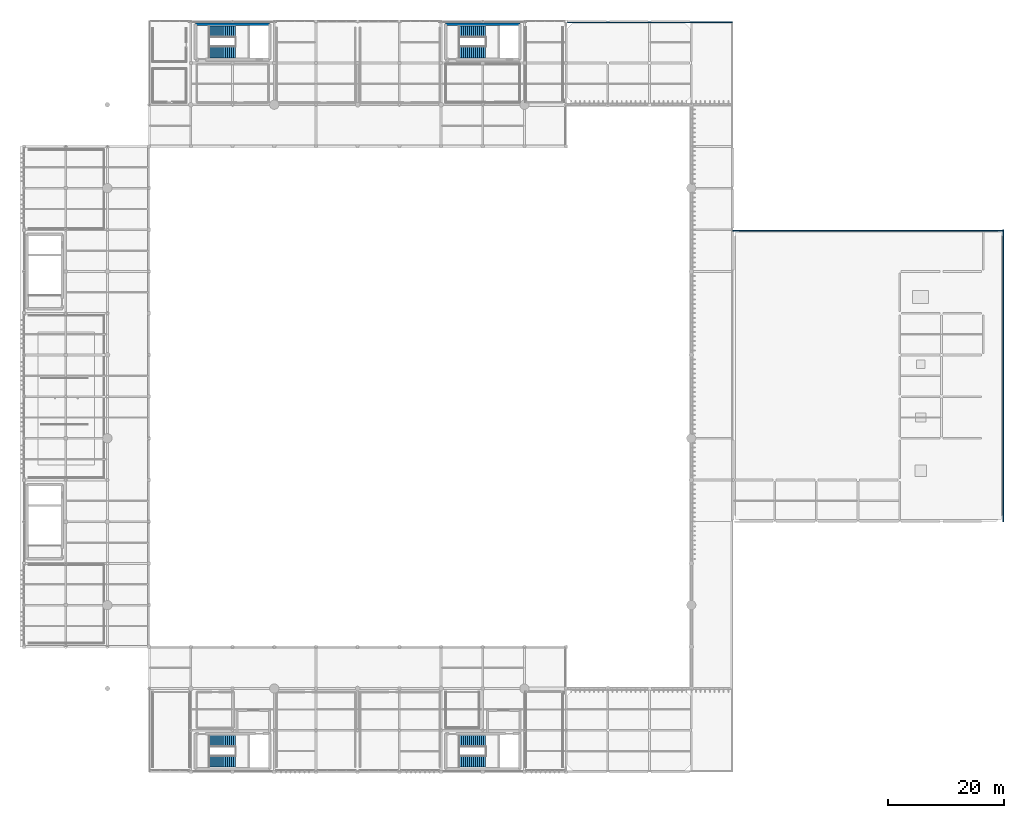
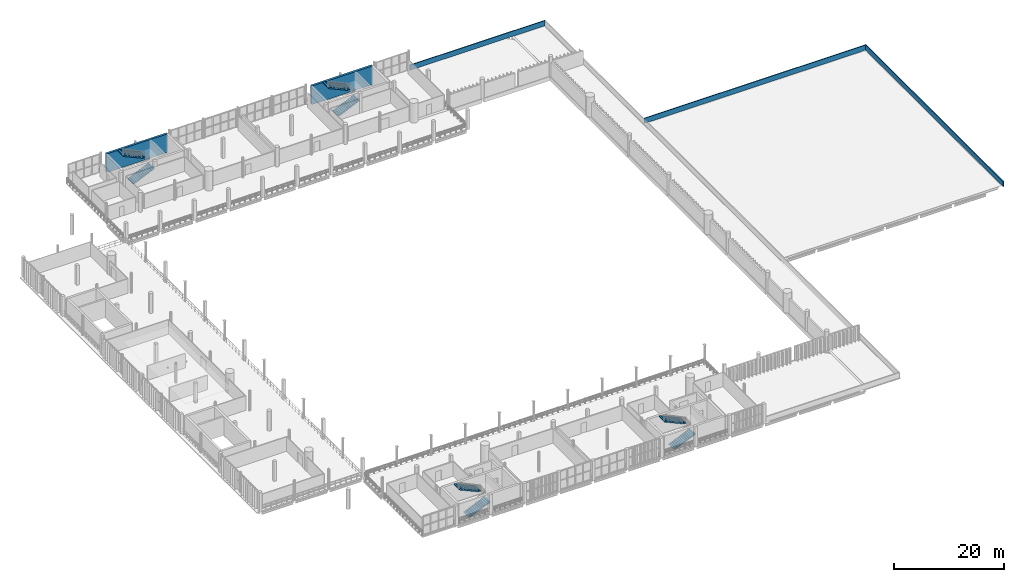
# One storey, part 63 of 81: 8 stair flights, 5 walls, 4 elements without a shape of their own.
"""IFC4 building model written with IfcOpenShell, lengths in metres."""

from ifc_helpers import new_model, si_unit, direction, frame, frame_2d, origin, place, context, subcontext, project, spatial, polyline, rectangle, outline, extrude, material, layer, layer_set, type_object, element, aggregate, save


model = new_model("IFC4")

# Units and contexts
model_context = context("Model", 3, precision=1e-05, world=origin(), true_north=direction((0.0, 1.0)))
body_context = subcontext(model_context, "Body", "Model", "MODEL_VIEW")
ifc_project = project(units=[si_unit("LENGTHUNIT", "METRE"), si_unit("AREAUNIT", "SQUARE_METRE"), si_unit("VOLUMEUNIT", "CUBIC_METRE"), si_unit("PLANEANGLEUNIT", "RADIAN"), si_unit("MASSUNIT", "GRAM", prefix="KILO")], contexts=[model_context])

# Site, building, storey
site_placement = place(None, origin())
site = spatial("IfcSite", under=ifc_project, at=site_placement, CompositionType="ELEMENT")
building_placement = place(site_placement, origin())
building = spatial("IfcBuilding", under=site, at=building_placement, Name="Qandorah Velis Arena", CompositionType="ELEMENT")
storey_placement = place(building_placement, frame((0.0, 0.0, 18.60009765625)))
storey = spatial("IfcBuildingStorey", under=building, at=storey_placement, Name="L04", CompositionType="ELEMENT", Elevation=18.60009765625)

# Walls
ifc_material_1 = material(Name="Precast concrete C40/50", Category="concrete")
ifc_layer_1 = layer(ifc_material_1, 0.179931640625)
ifc_layer_set_1 = layer_set([ifc_layer_1], Name="Precast concrete C40/50")
wall_type_1 = type_object("IfcWallType", Name="ARC-WAL-PAR180", PredefinedType="PARAPET", material=ifc_layer_set_1)
wall_1_placement = place(storey_placement, frame((169.050048828125, 43.199951171875, 0.0), z_axis=(0.0, 0.0, 1.0), x_axis=(0.0, 1.0, 0.0)))
element("IfcWall", 1, at=wall_1_placement, inside=storey, type_object=wall_type_1, Name="Roof perimeter parapet wall PW-09", PredefinedType="PARAPET", context=body_context, shape_type="SweptSolid", body=[
    extrude(rectangle(XDim=50.400146484375, YDim=0.179931640625, at=frame_2d((25.2001953125, 0.0))), origin(), (0.0, 0.0, 1.0), 1.14990234375),
])
wall_2_placement = place(storey_placement, frame((122.39990234375, 93.449951171875, 0.0), z_axis=(0.0, 0.0, 1.0), x_axis=(1.0, 0.0, 0.0)))
element("IfcWall", 2, at=wall_2_placement, inside=storey, type_object=wall_type_1, Name="Roof perimeter parapet wall PW-10", PredefinedType="PARAPET", context=body_context, shape_type="SweptSolid", body=[
    extrude(rectangle(XDim=46.650146484375, YDim=0.179931640625, at=frame_2d((23.3251953125, 0.0))), origin(), (0.0, 0.0, 1.0), 1.14990234375),
])
wall_3_placement = place(storey_placement, frame((93.75, 129.449951171875, 0.0), z_axis=(0.0, 0.0, 1.0), x_axis=(1.0, 0.0, 0.0)))
element("IfcWall", 3, at=wall_3_placement, inside=storey, type_object=wall_type_1, Name="Roof perimeter parapet wall PW-13", PredefinedType="PARAPET", context=body_context, shape_type="SweptSolid", body=[
    extrude(rectangle(XDim=28.5, YDim=0.179931640625, at=frame_2d((14.25, 0.0))), origin(), (0.0, 0.0, 1.0), 1.14990234375),
])
ifc_material_2 = material(Name="Concrete C40/50", Category="concrete")
ifc_layer_2 = layer(ifc_material_2, 0.449951171875)
ifc_layer_set_2 = layer_set([ifc_layer_2], Name="Concrete C40/50")
wall_type_2 = type_object("IfcWallType", Name="STR-WAL-CORE450", PredefinedType="SHEAR", material=ifc_layer_set_2)
wall_4_placement = place(storey_placement, frame((29.60009765625, 129.10009765625, 0.0), z_axis=(0.0, 0.0, 1.0), x_axis=(1.0, 0.0, 0.0)))
element("IfcWall", 4, at=wall_4_placement, inside=storey, type_object=wall_type_2, Name="Core CORE-03 shear wall N (L04)", PredefinedType="SHEAR", context=body_context, shape_type="SweptSolid", body=[
    extrude(rectangle(XDim=12.7998046875, YDim=0.449951171875, at=frame_2d((6.39990234375, 0.0))), origin(), (0.0, 0.0, 1.0), 4.14990234375),
])
wall_5_placement = place(storey_placement, frame((72.800048828125, 129.10009765625, 0.0), z_axis=(0.0, 0.0, 1.0), x_axis=(1.0, 0.0, 0.0)))
element("IfcWall", 5, at=wall_5_placement, inside=storey, type_object=wall_type_2, Name="Core CORE-04 shear wall N (L04)", PredefinedType="SHEAR", context=body_context, shape_type="SweptSolid", body=[
    extrude(rectangle(XDim=12.800048828125, YDim=0.449951171875, at=frame_2d((6.39990234375, 0.0))), origin(), (0.0, 0.0, 1.0), 4.14990234375),
])

# Stair, stair flights
stair_type = type_object("IfcStairType", Name="ARC-ST-CORE44", PredefinedType="HALF_TURN_STAIR", material=ifc_material_2)
stair_1_placement = place(storey_placement, origin())
stair_1 = element("IfcStair", 6, at=stair_1_placement, inside=storey, type_object=stair_type, Name="Protected exit stair ST1 (L04)", PredefinedType="HALF_TURN_STAIR")
stair_flight_type = type_object("IfcStairFlightType", Name="ARC-STF-1650", PredefinedType="STRAIGHT", material=ifc_material_2)
stair_flight_1_placement = place(storey_placement, frame((31.949951171875, 1.800048828125, 0.0), z_axis=(0.0, 0.0, 1.0), x_axis=(1.0, 0.0, 0.0)))
stair_flight_1 = element("IfcStairFlight", 7, at=stair_flight_1_placement, type_object=stair_flight_type, Name="ST1 flight 1", NumberOfRisers=14, NumberOfTreads=13, PredefinedType="STRAIGHT", RiserHeight=0.15714, TreadLength=0.34892, context=body_context, shape_type="SweptSolid", body=[
    extrude(outline(polyline([(0.0, 0.0), (0.0, 0.1572265625), (0.348876953125, 0.1572265625), (0.348876953125, 0.314208984375), (0.69775390625, 0.314208984375), (0.69775390625, 0.471435546875), (1.046875, 0.471435546875), (1.046875, 0.628662109375), (1.395751953125, 0.628662109375), (1.395751953125, 0.78564453125), (1.74462890625, 0.78564453125), (1.74462890625, 0.94287109375), (2.093505859375, 0.94287109375), (2.093505859375, 1.10009765625), (2.4423828125, 1.10009765625), (2.4423828125, 1.257080078125), (2.791259765625, 1.257080078125), (2.791259765625, 1.414306640625), (3.140380859375, 1.414306640625), (3.140380859375, 1.5712890625), (3.4892578125, 1.5712890625), (3.4892578125, 1.728515625), (3.838134765625, 1.728515625), (3.838134765625, 1.8857421875), (4.18701171875, 1.8857421875), (4.18701171875, 2.042724609375), (4.535888671875, 2.042724609375), (4.535888671875, 2.199951171875), (4.535888671875, 1.801513671875), (0.53564453125, 0.0), (0.0, 0.0)])), frame((0.0, 0.989990234375, 0.0), z_axis=(0.0, -1.0, 0.0), x_axis=(1.0, 0.0, 0.0)), (0.0, 0.0, 1.0), 1.97998046875),
])
stair_flight_2_placement = place(storey_placement, frame((36.486083984375, 5.300048828125, 2.199951171875), z_axis=(0.0, 0.0, 1.0), x_axis=(-1.0, 0.0, 0.0)))
stair_flight_2 = element("IfcStairFlight", 8, at=stair_flight_2_placement, type_object=stair_flight_type, Name="ST1 flight 2", NumberOfRisers=14, NumberOfTreads=13, PredefinedType="STRAIGHT", RiserHeight=0.15714, TreadLength=0.34892, context=body_context, shape_type="SweptSolid", body=[
    extrude(outline(polyline([(0.0, 0.0), (0.0, 0.1572265625), (0.348876953125, 0.1572265625), (0.348876953125, 0.314208984375), (0.69775390625, 0.314208984375), (0.69775390625, 0.471435546875), (1.046875, 0.471435546875), (1.046875, 0.628662109375), (1.395751953125, 0.628662109375), (1.395751953125, 0.78564453125), (1.74462890625, 0.78564453125), (1.74462890625, 0.94287109375), (2.093505859375, 0.94287109375), (2.093505859375, 1.10009765625), (2.4423828125, 1.10009765625), (2.4423828125, 1.257080078125), (2.791259765625, 1.257080078125), (2.791259765625, 1.414306640625), (3.140380859375, 1.414306640625), (3.140380859375, 1.5712890625), (3.4892578125, 1.5712890625), (3.4892578125, 1.728515625), (3.838134765625, 1.728515625), (3.838134765625, 1.8857421875), (4.18701171875, 1.8857421875), (4.18701171875, 2.042724609375), (4.535888671875, 2.042724609375), (4.535888671875, 2.199951171875), (4.535888671875, 1.801513671875), (0.53564453125, 0.0), (0.0, 0.0)])), frame((0.0, 0.989990234375, 0.0), z_axis=(0.0, -1.0, 0.0), x_axis=(1.0, 0.0, 0.0)), (0.0, 0.0, 1.0), 1.97998046875),
])
aggregate(stair_1, [stair_flight_1, stair_flight_2])

stair_2_placement = place(storey_placement, origin())
stair_2 = element("IfcStair", 9, at=stair_2_placement, inside=storey, type_object=stair_type, Name="Protected exit stair ST2 (L04)", PredefinedType="HALF_TURN_STAIR")
stair_flight_3_placement = place(storey_placement, frame((75.14990234375, 1.800048828125, 0.0), z_axis=(0.0, 0.0, 1.0), x_axis=(1.0, 0.0, 0.0)))
stair_flight_3 = element("IfcStairFlight", 10, at=stair_flight_3_placement, type_object=stair_flight_type, Name="ST2 flight 1", NumberOfRisers=14, NumberOfTreads=13, PredefinedType="STRAIGHT", RiserHeight=0.15714, TreadLength=0.34892, context=body_context, shape_type="SweptSolid", body=[
    extrude(outline(polyline([(0.0, 0.0), (0.0, 0.1572265625), (0.348876953125, 0.1572265625), (0.348876953125, 0.314208984375), (0.69775390625, 0.314208984375), (0.69775390625, 0.471435546875), (1.046875, 0.471435546875), (1.046875, 0.628662109375), (1.395751953125, 0.628662109375), (1.395751953125, 0.78564453125), (1.74462890625, 0.78564453125), (1.74462890625, 0.94287109375), (2.093505859375, 0.94287109375), (2.093505859375, 1.10009765625), (2.4423828125, 1.10009765625), (2.4423828125, 1.257080078125), (2.791259765625, 1.257080078125), (2.791259765625, 1.414306640625), (3.140380859375, 1.414306640625), (3.140380859375, 1.5712890625), (3.4892578125, 1.5712890625), (3.4892578125, 1.728515625), (3.838134765625, 1.728515625), (3.838134765625, 1.8857421875), (4.18701171875, 1.8857421875), (4.18701171875, 2.042724609375), (4.535888671875, 2.042724609375), (4.535888671875, 2.199951171875), (4.535888671875, 1.801513671875), (0.53564453125, 0.0), (0.0, 0.0)])), frame((0.0, 0.989990234375, 0.0), z_axis=(0.0, -1.0, 0.0), x_axis=(1.0, 0.0, 0.0)), (0.0, 0.0, 1.0), 1.97998046875),
])
stair_flight_4_placement = place(storey_placement, frame((79.68603515625, 5.300048828125, 2.199951171875), z_axis=(0.0, 0.0, 1.0), x_axis=(-1.0, 0.0, 0.0)))
stair_flight_4 = element("IfcStairFlight", 11, at=stair_flight_4_placement, type_object=stair_flight_type, Name="ST2 flight 2", NumberOfRisers=14, NumberOfTreads=13, PredefinedType="STRAIGHT", RiserHeight=0.15714, TreadLength=0.34892, context=body_context, shape_type="SweptSolid", body=[
    extrude(outline(polyline([(0.0, 0.0), (0.0, 0.1572265625), (0.348876953125, 0.1572265625), (0.348876953125, 0.314208984375), (0.69775390625, 0.314208984375), (0.69775390625, 0.471435546875), (1.046875, 0.471435546875), (1.046875, 0.628662109375), (1.395751953125, 0.628662109375), (1.395751953125, 0.78564453125), (1.74462890625, 0.78564453125), (1.74462890625, 0.94287109375), (2.093505859375, 0.94287109375), (2.093505859375, 1.10009765625), (2.4423828125, 1.10009765625), (2.4423828125, 1.257080078125), (2.791259765625, 1.257080078125), (2.791259765625, 1.414306640625), (3.140380859375, 1.414306640625), (3.140380859375, 1.5712890625), (3.4892578125, 1.5712890625), (3.4892578125, 1.728515625), (3.838134765625, 1.728515625), (3.838134765625, 1.8857421875), (4.18701171875, 1.8857421875), (4.18701171875, 2.042724609375), (4.535888671875, 2.042724609375), (4.535888671875, 2.199951171875), (4.535888671875, 1.801513671875), (0.53564453125, 0.0), (0.0, 0.0)])), frame((0.0, 0.989990234375, 0.0), z_axis=(0.0, -1.0, 0.0), x_axis=(1.0, 0.0, 0.0)), (0.0, 0.0, 1.0), 1.97998046875),
])
aggregate(stair_2, [stair_flight_3, stair_flight_4])

stair_3_placement = place(storey_placement, origin())
stair_3 = element("IfcStair", 12, at=stair_3_placement, inside=storey, type_object=stair_type, Name="Protected exit stair ST3 (L04)", PredefinedType="HALF_TURN_STAIR")
stair_flight_5_placement = place(storey_placement, frame((31.949951171875, 124.300048828125, 0.0), z_axis=(0.0, 0.0, 1.0), x_axis=(1.0, 0.0, 0.0)))
stair_flight_5 = element("IfcStairFlight", 13, at=stair_flight_5_placement, type_object=stair_flight_type, Name="ST3 flight 1", NumberOfRisers=14, NumberOfTreads=13, PredefinedType="STRAIGHT", RiserHeight=0.15714, TreadLength=0.34892, context=body_context, shape_type="SweptSolid", body=[
    extrude(outline(polyline([(0.0, 0.0), (0.0, 0.1572265625), (0.348876953125, 0.1572265625), (0.348876953125, 0.314208984375), (0.69775390625, 0.314208984375), (0.69775390625, 0.471435546875), (1.046875, 0.471435546875), (1.046875, 0.628662109375), (1.395751953125, 0.628662109375), (1.395751953125, 0.78564453125), (1.74462890625, 0.78564453125), (1.74462890625, 0.94287109375), (2.093505859375, 0.94287109375), (2.093505859375, 1.10009765625), (2.4423828125, 1.10009765625), (2.4423828125, 1.257080078125), (2.791259765625, 1.257080078125), (2.791259765625, 1.414306640625), (3.140380859375, 1.414306640625), (3.140380859375, 1.5712890625), (3.4892578125, 1.5712890625), (3.4892578125, 1.728515625), (3.838134765625, 1.728515625), (3.838134765625, 1.8857421875), (4.18701171875, 1.8857421875), (4.18701171875, 2.042724609375), (4.535888671875, 2.042724609375), (4.535888671875, 2.199951171875), (4.535888671875, 1.801513671875), (0.53564453125, 0.0), (0.0, 0.0)])), frame((0.0, 0.989990234375, 0.0), z_axis=(0.0, -1.0, 0.0), x_axis=(1.0, 0.0, 0.0)), (0.0, 0.0, 1.0), 1.97998046875),
])
stair_flight_6_placement = place(storey_placement, frame((36.486083984375, 127.800048828125, 2.199951171875), z_axis=(0.0, 0.0, 1.0), x_axis=(-1.0, 0.0, 0.0)))
stair_flight_6 = element("IfcStairFlight", 14, at=stair_flight_6_placement, type_object=stair_flight_type, Name="ST3 flight 2", NumberOfRisers=14, NumberOfTreads=13, PredefinedType="STRAIGHT", RiserHeight=0.15714, TreadLength=0.34892, context=body_context, shape_type="SweptSolid", body=[
    extrude(outline(polyline([(0.0, 0.0), (0.0, 0.1572265625), (0.348876953125, 0.1572265625), (0.348876953125, 0.314208984375), (0.69775390625, 0.314208984375), (0.69775390625, 0.471435546875), (1.046875, 0.471435546875), (1.046875, 0.628662109375), (1.395751953125, 0.628662109375), (1.395751953125, 0.78564453125), (1.74462890625, 0.78564453125), (1.74462890625, 0.94287109375), (2.093505859375, 0.94287109375), (2.093505859375, 1.10009765625), (2.4423828125, 1.10009765625), (2.4423828125, 1.257080078125), (2.791259765625, 1.257080078125), (2.791259765625, 1.414306640625), (3.140380859375, 1.414306640625), (3.140380859375, 1.5712890625), (3.4892578125, 1.5712890625), (3.4892578125, 1.728515625), (3.838134765625, 1.728515625), (3.838134765625, 1.8857421875), (4.18701171875, 1.8857421875), (4.18701171875, 2.042724609375), (4.535888671875, 2.042724609375), (4.535888671875, 2.199951171875), (4.535888671875, 1.801513671875), (0.53564453125, 0.0), (0.0, 0.0)])), frame((0.0, 0.989990234375, 0.0), z_axis=(0.0, -1.0, 0.0), x_axis=(1.0, 0.0, 0.0)), (0.0, 0.0, 1.0), 1.97998046875),
])
aggregate(stair_3, [stair_flight_5, stair_flight_6])

stair_4_placement = place(storey_placement, origin())
stair_4 = element("IfcStair", 15, at=stair_4_placement, inside=storey, type_object=stair_type, Name="Protected exit stair ST4 (L04)", PredefinedType="HALF_TURN_STAIR")
stair_flight_7_placement = place(storey_placement, frame((75.14990234375, 124.300048828125, 0.0), z_axis=(0.0, 0.0, 1.0), x_axis=(1.0, 0.0, 0.0)))
stair_flight_7 = element("IfcStairFlight", 16, at=stair_flight_7_placement, type_object=stair_flight_type, Name="ST4 flight 1", NumberOfRisers=14, NumberOfTreads=13, PredefinedType="STRAIGHT", RiserHeight=0.15714, TreadLength=0.34892, context=body_context, shape_type="SweptSolid", body=[
    extrude(outline(polyline([(0.0, 0.0), (0.0, 0.1572265625), (0.348876953125, 0.1572265625), (0.348876953125, 0.314208984375), (0.69775390625, 0.314208984375), (0.69775390625, 0.471435546875), (1.046875, 0.471435546875), (1.046875, 0.628662109375), (1.395751953125, 0.628662109375), (1.395751953125, 0.78564453125), (1.74462890625, 0.78564453125), (1.74462890625, 0.94287109375), (2.093505859375, 0.94287109375), (2.093505859375, 1.10009765625), (2.4423828125, 1.10009765625), (2.4423828125, 1.257080078125), (2.791259765625, 1.257080078125), (2.791259765625, 1.414306640625), (3.140380859375, 1.414306640625), (3.140380859375, 1.5712890625), (3.4892578125, 1.5712890625), (3.4892578125, 1.728515625), (3.838134765625, 1.728515625), (3.838134765625, 1.8857421875), (4.18701171875, 1.8857421875), (4.18701171875, 2.042724609375), (4.535888671875, 2.042724609375), (4.535888671875, 2.199951171875), (4.535888671875, 1.801513671875), (0.53564453125, 0.0), (0.0, 0.0)])), frame((0.0, 0.989990234375, 0.0), z_axis=(0.0, -1.0, 0.0), x_axis=(1.0, 0.0, 0.0)), (0.0, 0.0, 1.0), 1.97998046875),
])
stair_flight_8_placement = place(storey_placement, frame((79.68603515625, 127.800048828125, 2.199951171875), z_axis=(0.0, 0.0, 1.0), x_axis=(-1.0, 0.0, 0.0)))
stair_flight_8 = element("IfcStairFlight", 17, at=stair_flight_8_placement, type_object=stair_flight_type, Name="ST4 flight 2", NumberOfRisers=14, NumberOfTreads=13, PredefinedType="STRAIGHT", RiserHeight=0.15714, TreadLength=0.34892, context=body_context, shape_type="SweptSolid", body=[
    extrude(outline(polyline([(0.0, 0.0), (0.0, 0.1572265625), (0.348876953125, 0.1572265625), (0.348876953125, 0.314208984375), (0.69775390625, 0.314208984375), (0.69775390625, 0.471435546875), (1.046875, 0.471435546875), (1.046875, 0.628662109375), (1.395751953125, 0.628662109375), (1.395751953125, 0.78564453125), (1.74462890625, 0.78564453125), (1.74462890625, 0.94287109375), (2.093505859375, 0.94287109375), (2.093505859375, 1.10009765625), (2.4423828125, 1.10009765625), (2.4423828125, 1.257080078125), (2.791259765625, 1.257080078125), (2.791259765625, 1.414306640625), (3.140380859375, 1.414306640625), (3.140380859375, 1.5712890625), (3.4892578125, 1.5712890625), (3.4892578125, 1.728515625), (3.838134765625, 1.728515625), (3.838134765625, 1.8857421875), (4.18701171875, 1.8857421875), (4.18701171875, 2.042724609375), (4.535888671875, 2.042724609375), (4.535888671875, 2.199951171875), (4.535888671875, 1.801513671875), (0.53564453125, 0.0), (0.0, 0.0)])), frame((0.0, 0.989990234375, 0.0), z_axis=(0.0, -1.0, 0.0), x_axis=(1.0, 0.0, 0.0)), (0.0, 0.0, 1.0), 1.97998046875),
])
aggregate(stair_4, [stair_flight_7, stair_flight_8])

save(model, "model.ifc")
